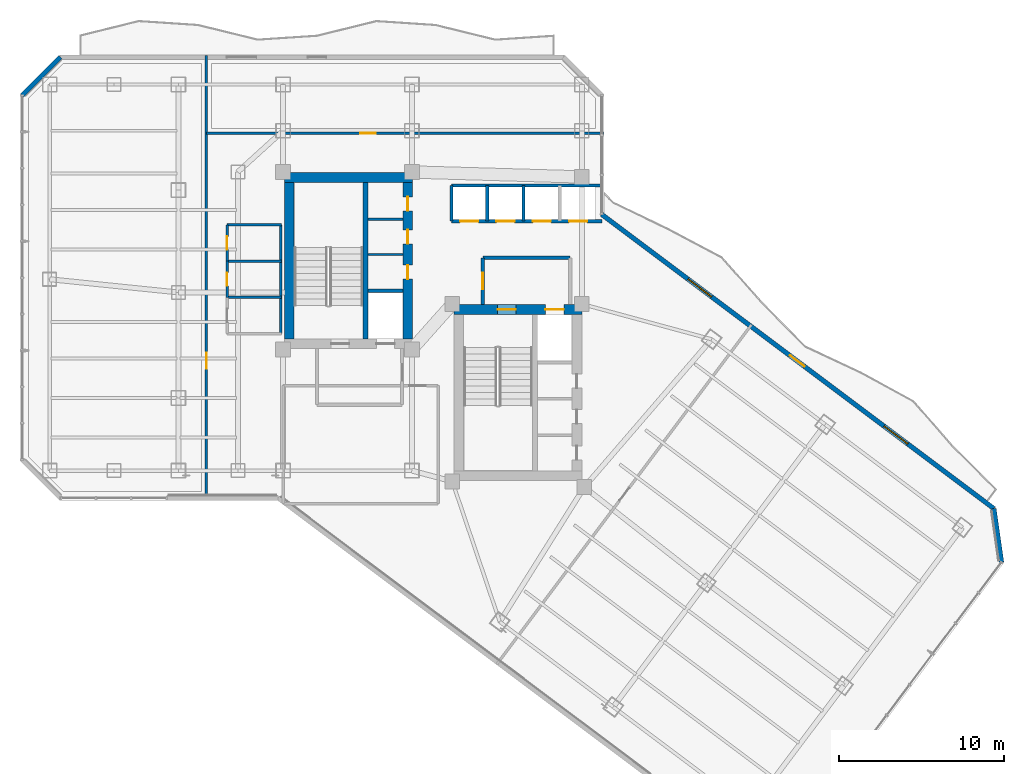
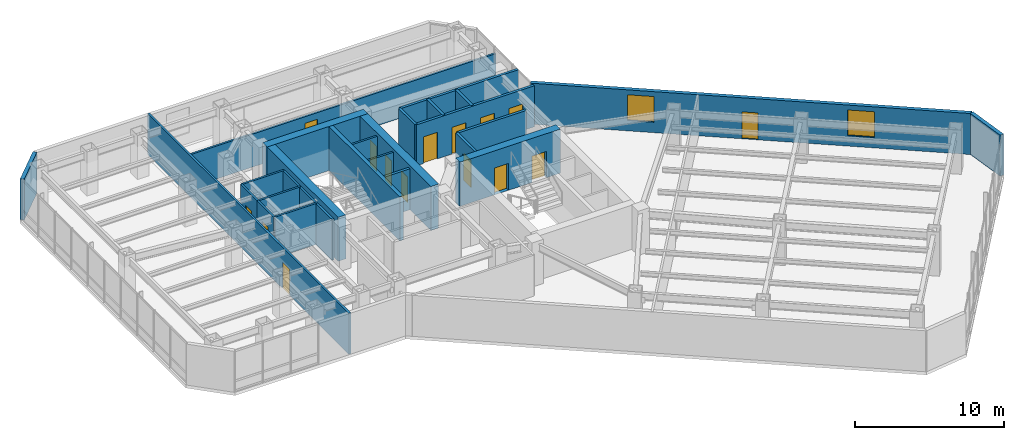
# One storey, part 23 of 29: 26 walls, 15 doors, 2 windows, 17 openings.
"""IFC4 building model written with IfcOpenShell, lengths in metres."""

from ifc_helpers import new_model, si_unit, direction, frame, frame_2d, origin, place, context, subcontext, project, spatial, rectangle, extrude, material, layer, layer_set, type_object, element, fill, save


model = new_model("IFC4")

# Units and contexts
model_context = context("Model", 3, precision=1e-05, world=origin(), true_north=direction((0.0, 1.0)))
body_context = subcontext(model_context, "Body", "Model", "MODEL_VIEW")
ifc_project = project(units=[si_unit("LENGTHUNIT", "METRE"), si_unit("AREAUNIT", "SQUARE_METRE"), si_unit("VOLUMEUNIT", "CUBIC_METRE"), si_unit("PLANEANGLEUNIT", "RADIAN"), si_unit("MASSUNIT", "GRAM", prefix="KILO")], contexts=[model_context])

# Site, building, storey
site_placement = place(None, origin())
site = spatial("IfcSite", under=ifc_project, at=site_placement, CompositionType="ELEMENT")
building_placement = place(site_placement, origin())
building = spatial("IfcBuilding", under=site, at=building_placement, Name="Hatsunagi Terrace Concourse", CompositionType="ELEMENT")
storey_placement = place(building_placement, frame((0.0, 0.0, 115.64990234375)))
storey = spatial("IfcBuildingStorey", under=building, at=storey_placement, Name="L30", CompositionType="ELEMENT", Elevation=115.64990234375)

# Walls
ifc_material_1 = material(Name="Concrete Fc48", Category="concrete")
ifc_layer_1 = layer(ifc_material_1, 0.60009765625)
ifc_layer_set_1 = layer_set([ifc_layer_1], Name="CoreShearWall_Fc48_600")
wall_type_1 = type_object("IfcWallType", Name="CoreShearWall_Fc48_600", PredefinedType="SHEAR", material=ifc_layer_set_1)
wall_1_placement = place(storey_placement, frame((25.6201171875, 42.969970703125, 0.0), z_axis=(0.0, 0.0, 1.0), x_axis=(1.0, 0.0, 0.0)))
element("IfcWall", 1, at=wall_1_placement, inside=storey, type_object=wall_type_1, Name="Core A Shear Wall N L30", PredefinedType="SHEAR", context=body_context, shape_type="SweptSolid", body=[
    extrude(rectangle(XDim=7.77978515625, YDim=0.60009765625, at=frame_2d((3.889892578125, 0.0))), origin(), (0.0, 0.0, 1.0), 3.60009765625),
])
wall_2_placement = place(storey_placement, frame((25.919921875, 33.18994140625, 0.0), z_axis=(0.0, 0.0, 1.0), x_axis=(0.0, 1.0, 0.0)))
element("IfcWall", 2, at=wall_2_placement, inside=storey, type_object=wall_type_1, Name="Core A Shear Wall W L30", PredefinedType="SHEAR", context=body_context, shape_type="SweptSolid", body=[
    extrude(rectangle(XDim=9.47998046875, YDim=0.60009765625, at=frame_2d((4.739990234375, 0.0))), origin(), (0.0, 0.0, 1.0), 3.60009765625),
])

# Wall, openings, doors
wall_3_placement = place(storey_placement, frame((33.10009765625, 33.18994140625, 0.0), z_axis=(0.0, 0.0, 1.0), x_axis=(0.0, 1.0, 0.0)))
wall_3 = element("IfcWall", 3, at=wall_3_placement, inside=storey, type_object=wall_type_1, Name="Core A Shear Wall E L30", PredefinedType="SHEAR", context=body_context, shape_type="SweptSolid", body=[
    extrude(rectangle(XDim=9.47998046875, YDim=0.60009765625, at=frame_2d((4.739990234375, 0.0))), origin(), (0.0, 0.0, 1.0), 3.60009765625),
])
opening_1_placement = place(wall_3_placement, frame((3.610107421875, 0.0, 0.0)))
opening_1 = element("IfcOpeningElement", 4, at=opening_1_placement, cuts=wall_3, Name="Opening DR-085", PredefinedType="OPENING", context=body_context, shape_type="SweptSolid", body=[
    extrude(rectangle(XDim=0.85009765625, YDim=2.080078125, at=frame_2d((0.425048828125, 1.0400390625))), frame((0.0, 0.31005859375, 0.0), z_axis=(0.0, -1.0, 0.0), x_axis=(1.0, 0.0, 0.0)), (0.0, 0.0, 1.0), 0.6201171875),
])
opening_2_placement = place(wall_3_placement, frame((5.760009765625, 0.0, 0.0)))
opening_2 = element("IfcOpeningElement", 5, at=opening_2_placement, cuts=wall_3, Name="Opening DR-085", PredefinedType="OPENING", context=body_context, shape_type="SweptSolid", body=[
    extrude(rectangle(XDim=0.85009765625, YDim=2.080078125, at=frame_2d((0.425048828125, 1.0400390625))), frame((0.0, 0.31005859375, 0.0), z_axis=(0.0, -1.0, 0.0), x_axis=(1.0, 0.0, 0.0)), (0.0, 0.0, 1.0), 0.6201171875),
])
opening_3_placement = place(wall_3_placement, frame((7.760009765625, 0.0, 0.0)))
opening_3 = element("IfcOpeningElement", 6, at=opening_3_placement, cuts=wall_3, Name="Opening DR-085", PredefinedType="OPENING", context=body_context, shape_type="SweptSolid", body=[
    extrude(rectangle(XDim=0.85009765625, YDim=2.080078125, at=frame_2d((0.425048828125, 1.0400390625))), frame((0.0, 0.31005859375, 0.0), z_axis=(0.0, -1.0, 0.0), x_axis=(1.0, 0.0, 0.0)), (0.0, 0.0, 1.0), 0.6201171875),
])
ifc_material_2 = material(Name="Painted steel", Category="steel")
door_type_1 = type_object("IfcDoorType", Name="RiserAccessDoor_EI60_850", OperationType="NOTDEFINED", PredefinedType="DOOR", material=ifc_material_2)
door_1_placement = place(opening_1_placement, origin())
door_1 = element("IfcDoor", 7, at=door_1_placement, inside=storey, type_object=door_type_1, Name="Core A Riser Door L30-1", OperationType="SINGLE_SWING_LEFT", OverallHeight=2.080078125, OverallWidth=0.85009765625, PredefinedType="DOOR", context=body_context, shape_type="SweptSolid", body=[
    extrude(rectangle(XDim=0.85009765625, YDim=2.080078125, at=frame_2d((0.425048828125, 1.0400390625))), frame((0.0, 0.02490234375, 0.0), z_axis=(0.0, -1.0, 0.0), x_axis=(1.0, 0.0, 0.0)), (0.0, 0.0, 1.0), 0.050048828125),
])
fill(opening_1, door_1)
door_2_placement = place(opening_2_placement, origin())
door_2 = element("IfcDoor", 8, at=door_2_placement, inside=storey, type_object=door_type_1, Name="Core A Riser Door L30-2", OperationType="SINGLE_SWING_LEFT", OverallHeight=2.080078125, OverallWidth=0.85009765625, PredefinedType="DOOR", context=body_context, shape_type="SweptSolid", body=[
    extrude(rectangle(XDim=0.85009765625, YDim=2.080078125, at=frame_2d((0.425048828125, 1.0400390625))), frame((0.0, 0.02490234375, 0.0), z_axis=(0.0, -1.0, 0.0), x_axis=(1.0, 0.0, 0.0)), (0.0, 0.0, 1.0), 0.050048828125),
])
fill(opening_2, door_2)
door_3_placement = place(opening_3_placement, origin())
door_3 = element("IfcDoor", 9, at=door_3_placement, inside=storey, type_object=door_type_1, Name="Core A Riser Door L30-3", OperationType="SINGLE_SWING_LEFT", OverallHeight=2.080078125, OverallWidth=0.85009765625, PredefinedType="DOOR", context=body_context, shape_type="SweptSolid", body=[
    extrude(rectangle(XDim=0.85009765625, YDim=2.080078125, at=frame_2d((0.425048828125, 1.0400390625))), frame((0.0, 0.02490234375, 0.0), z_axis=(0.0, -1.0, 0.0), x_axis=(1.0, 0.0, 0.0)), (0.0, 0.0, 1.0), 0.050048828125),
])
fill(opening_3, door_3)

wall_4_placement = place(storey_placement, frame((35.889892578125, 34.969970703125, 0.0), z_axis=(0.0, 0.0, 1.0), x_axis=(1.0, 0.0, 0.0)))
wall_4 = element("IfcWall", 10, at=wall_4_placement, inside=storey, type_object=wall_type_1, Name="Core B Shear Wall N L30", PredefinedType="SHEAR", context=body_context, shape_type="SweptSolid", body=[
    extrude(rectangle(XDim=7.760009765625, YDim=0.60009765625, at=frame_2d((3.8798828125, 0.0))), origin(), (0.0, 0.0, 1.0), 3.60009765625),
])
opening_4_placement = place(wall_4_placement, frame((2.659912109375, 0.0, 0.0)))
opening_4 = element("IfcOpeningElement", 11, at=opening_4_placement, cuts=wall_4, Name="Opening DR-110S", PredefinedType="OPENING", context=body_context, shape_type="SweptSolid", body=[
    extrude(rectangle(XDim=1.10009765625, YDim=2.199951171875, at=frame_2d((0.550048828125, 1.10009765625))), frame((0.0, 0.31005859375, 0.0), z_axis=(0.0, -1.0, 0.0), x_axis=(1.0, 0.0, 0.0)), (0.0, 0.0, 1.0), 0.6201171875),
])
opening_5_placement = place(wall_4_placement, frame((5.56005859375, 0.0, 0.0)))
opening_5 = element("IfcOpeningElement", 12, at=opening_5_placement, cuts=wall_4, Name="Opening LD-02", PredefinedType="OPENING", context=body_context, shape_type="SweptSolid", body=[
    extrude(rectangle(XDim=1.1201171875, YDim=2.14990234375, at=frame_2d((0.56005859375, 1.074951171875))), frame((0.0, 0.31005859375, 0.0), z_axis=(0.0, -1.0, 0.0), x_axis=(1.0, 0.0, 0.0)), (0.0, 0.0, 1.0), 0.6201171875),
])
ifc_material_3 = material(Name="Stainless steel", Category="steel")
door_type_2 = type_object("IfcDoorType", Name="LiftLandingDoor_LD02", OperationType="SLIDING_TO_RIGHT", PredefinedType="USERDEFINED", material=ifc_material_3)
door_4_placement = place(opening_5_placement, origin())
door_4 = element("IfcDoor", 13, at=door_4_placement, inside=storey, type_object=door_type_2, Name="Lift landing door FF-02 L30", ObjectType="SLIDING_LANDING_DOOR", OperationType="SLIDING_TO_RIGHT", OverallHeight=2.14990234375, OverallWidth=1.1201171875, PredefinedType="USERDEFINED", context=body_context, shape_type="SweptSolid", body=[
    extrude(rectangle(XDim=1.1201171875, YDim=2.14990234375, at=frame_2d((0.56005859375, 1.074951171875))), frame((0.0, 0.02490234375, 0.0), z_axis=(0.0, -1.0, 0.0), x_axis=(1.0, 0.0, 0.0)), (0.0, 0.0, 1.0), 0.050048828125),
])
fill(opening_5, door_4)
ifc_material_4 = material(Name="Painted steel", Category="steel")
door_type_3 = type_object("IfcDoorType", Name="StairFireDoor_EI60_1100", OperationType="NOTDEFINED", PredefinedType="DOOR", material=ifc_material_4)
door_5_placement = place(opening_4_placement, origin())
door_5 = element("IfcDoor", 14, at=door_5_placement, inside=storey, type_object=door_type_3, Name="Stair ST-B Exit Door L30", OperationType="SINGLE_SWING_RIGHT", OverallHeight=2.199951171875, OverallWidth=1.10009765625, PredefinedType="DOOR", context=body_context, shape_type="SweptSolid", body=[
    extrude(rectangle(XDim=1.10009765625, YDim=2.199951171875, at=frame_2d((0.550048828125, 1.10009765625))), frame((0.0, 0.02490234375, 0.0), z_axis=(0.0, -1.0, 0.0), x_axis=(1.0, 0.0, 0.0)), (0.0, 0.0, 1.0), 0.050048828125),
])
fill(opening_4, door_5)

# Walls
ifc_material_5 = material(Name="Concrete Fc48", Category="concrete")
ifc_layer_2 = layer(ifc_material_5, 0.300048828125)
ifc_layer_set_2 = layer_set([ifc_layer_2], Name="CoreStairDivider_Fc48_300")
wall_type_2 = type_object("IfcWallType", Name="CoreStairDivider_Fc48_300", PredefinedType="SHEAR", material=ifc_layer_set_2)
wall_5_placement = place(storey_placement, frame((30.5400390625, 33.18994140625, 0.0), z_axis=(0.0, 0.0, 1.0), x_axis=(0.0, 1.0, 0.0)))
element("IfcWall", 15, at=wall_5_placement, inside=storey, type_object=wall_type_2, Name="Core A Shear Wall D L30", PredefinedType="SHEAR", context=body_context, shape_type="SweptSolid", body=[
    extrude(rectangle(XDim=9.47998046875, YDim=0.300048828125, at=frame_2d((4.739990234375, 0.0))), origin(), (0.0, 0.0, 1.0), 3.60009765625),
])
ifc_material_6 = material(Name="Acoustic mineral board", Category="gypsum")
ifc_layer_3 = layer(ifc_material_6, 0.14990234375)
ifc_layer_set_3 = layer_set([ifc_layer_3], Name="PartitionWall_EI60_150")
wall_type_3 = type_object("IfcWallType", Name="PartitionWall_EI60_150", PredefinedType="PARTITIONING", material=ifc_layer_set_3)
for number, where, z_axis, x_axis, name in (
    (16, (30.699951171875, 38.300048828125, 0.0), (0.0, 0.0, 1.0), (1.0, 0.0, 0.0), "Interior Partition IW-L30-002"),
    (17, (30.699951171875, 40.449951171875, 0.0), (0.0, 0.0, 1.0), (1.0, 0.0, 0.0), "Interior Partition IW-L30-003"),
):
    element("IfcWall", number, at=place(storey_placement, frame(where, z_axis=z_axis, x_axis=x_axis)), inside=storey, type_object=wall_type_3, Name=name, PredefinedType="PARTITIONING", context=body_context, shape_type="SweptSolid", body=[
        extrude(rectangle(XDim=2.10009765625, YDim=0.14990234375, at=frame_2d((1.050048828125, 0.0))), origin(), (0.0, 0.0, 1.0), 3.35009765625),
    ])
wall_6_placement = place(storey_placement, frame((22.14990234375, 40.10009765625, 0.0), z_axis=(0.0, 0.0, 1.0), x_axis=(1.0, 0.0, 0.0)))
element("IfcWall", 18, at=wall_6_placement, inside=storey, type_object=wall_type_3, Name="Interior Partition IW-L30-020", PredefinedType="PARTITIONING", context=body_context, shape_type="SweptSolid", body=[
    extrude(rectangle(XDim=3.300048828125, YDim=0.14990234375, at=frame_2d((1.64990234375, 0.0))), origin(), (0.0, 0.0, 1.0), 3.35009765625),
])
wall_7_placement = place(storey_placement, frame((25.39990234375, 33.5, 0.0), z_axis=(0.0, 0.0, 1.0), x_axis=(0.0, 1.0, 0.0)))
element("IfcWall", 19, at=wall_7_placement, inside=storey, type_object=wall_type_3, Name="Interior Partition IW-L30-021", PredefinedType="PARTITIONING", context=body_context, shape_type="SweptSolid", body=[
    extrude(rectangle(XDim=6.60009765625, YDim=0.14990234375, at=frame_2d((3.300048828125, 0.0))), origin(), (0.0, 0.0, 1.0), 3.35009765625),
])
for number, where, z_axis, x_axis, name in (
    (20, (22.14990234375, 35.699951171875, 0.0), (0.0, 0.0, 1.0), (1.0, 0.0, 0.0), "Interior Partition IW-L30-022"),
    (21, (22.14990234375, 37.89990234375, 0.0), (0.0, 0.0, 1.0), (1.0, 0.0, 0.0), "Interior Partition IW-L30-023"),
):
    element("IfcWall", number, at=place(storey_placement, frame(where, z_axis=z_axis, x_axis=x_axis)), inside=storey, type_object=wall_type_3, Name=name, PredefinedType="PARTITIONING", context=body_context, shape_type="SweptSolid", body=[
        extrude(rectangle(XDim=3.300048828125, YDim=0.14990234375, at=frame_2d((1.64990234375, 0.0))), origin(), (0.0, 0.0, 1.0), 3.35009765625),
    ])

# Wall, opening, door
wall_8_placement = place(storey_placement, frame((22.14990234375, 35.699951171875, 0.0), z_axis=(0.0, 0.0, 1.0), x_axis=(0.0, 1.0, 0.0)))
wall_8 = element("IfcWall", 22, at=wall_8_placement, inside=storey, type_object=wall_type_3, Name="Interior Partition IW-L30-025", PredefinedType="PARTITIONING", context=body_context, shape_type="SweptSolid", body=[
    extrude(rectangle(XDim=2.199951171875, YDim=0.14990234375, at=frame_2d((1.10009765625, 0.0))), origin(), (0.0, 0.0, 1.0), 3.35009765625),
])
opening_6_placement = place(wall_8_placement, frame((0.699951171875, 0.0, 0.0)))
opening_6 = element("IfcOpeningElement", 23, at=opening_6_placement, cuts=wall_8, Name="Opening DR-080", PredefinedType="OPENING", context=body_context, shape_type="SweptSolid", body=[
    extrude(rectangle(XDim=0.800048828125, YDim=2.06005859375, at=frame_2d((0.39990234375, 1.030029296875))), frame((0.0, 0.0849609375, 0.0), z_axis=(0.0, -1.0, 0.0), x_axis=(1.0, 0.0, 0.0)), (0.0, 0.0, 1.0), 0.169921875),
])
ifc_material_7 = material(Name="Hardwood timber", Category="wood")
door_type_4 = type_object("IfcDoorType", Name="BathroomDoor_800", OperationType="NOTDEFINED", PredefinedType="DOOR", material=ifc_material_7)
door_6_placement = place(opening_6_placement, origin())
door_6 = element("IfcDoor", 24, at=door_6_placement, inside=storey, type_object=door_type_4, Name="Female Restroom Door L30", OperationType="SINGLE_SWING_RIGHT", OverallHeight=2.06005859375, OverallWidth=0.800048828125, PredefinedType="DOOR", context=body_context, shape_type="SweptSolid", body=[
    extrude(rectangle(XDim=0.800048828125, YDim=2.06005859375, at=frame_2d((0.39990234375, 1.030029296875))), frame((0.0, 0.02490234375, 0.0), z_axis=(0.0, -1.0, 0.0), x_axis=(1.0, 0.0, 0.0)), (0.0, 0.0, 1.0), 0.050048828125),
])
fill(opening_6, door_6)

wall_9_placement = place(storey_placement, frame((22.14990234375, 37.89990234375, 0.0), z_axis=(0.0, 0.0, 1.0), x_axis=(0.0, 1.0, 0.0)))
wall_9 = element("IfcWall", 25, at=wall_9_placement, inside=storey, type_object=wall_type_3, Name="Interior Partition IW-L30-026", PredefinedType="PARTITIONING", context=body_context, shape_type="SweptSolid", body=[
    extrude(rectangle(XDim=2.2001953125, YDim=0.14990234375, at=frame_2d((1.10009765625, 0.0))), origin(), (0.0, 0.0, 1.0), 3.35009765625),
])
opening_7_placement = place(wall_9_placement, frame((0.699951171875, 0.0, 0.0)))
opening_7 = element("IfcOpeningElement", 26, at=opening_7_placement, cuts=wall_9, Name="Opening DR-080", PredefinedType="OPENING", context=body_context, shape_type="SweptSolid", body=[
    extrude(rectangle(XDim=0.800048828125, YDim=2.06005859375, at=frame_2d((0.39990234375, 1.030029296875))), frame((0.0, 0.0849609375, 0.0), z_axis=(0.0, -1.0, 0.0), x_axis=(1.0, 0.0, 0.0)), (0.0, 0.0, 1.0), 0.169921875),
])
door_7_placement = place(opening_7_placement, origin())
door_7 = element("IfcDoor", 27, at=door_7_placement, inside=storey, type_object=door_type_4, Name="Male Restroom Door L30", OperationType="SINGLE_SWING_RIGHT", OverallHeight=2.06005859375, OverallWidth=0.800048828125, PredefinedType="DOOR", context=body_context, shape_type="SweptSolid", body=[
    extrude(rectangle(XDim=0.800048828125, YDim=2.06005859375, at=frame_2d((0.39990234375, 1.030029296875))), frame((0.0, 0.02490234375, 0.0), z_axis=(0.0, -1.0, 0.0), x_axis=(1.0, 0.0, 0.0)), (0.0, 0.0, 1.0), 0.050048828125),
])
fill(opening_7, door_7)

wall_10_placement = place(storey_placement, frame((20.89990234375, 23.43994140625, 0.0), z_axis=(0.0, 0.0, 1.0), x_axis=(0.0, 1.0, 0.0)))
wall_10 = element("IfcWall", 28, at=wall_10_placement, inside=storey, type_object=wall_type_3, Name="Interior Partition IW-L30-031", PredefinedType="PARTITIONING", context=body_context, shape_type="SweptSolid", body=[
    extrude(rectangle(XDim=26.920166015625, YDim=0.14990234375, at=frame_2d((13.4599609375, 0.0))), origin(), (0.0, 0.0, 1.0), 3.35009765625),
])
opening_8_placement = place(wall_10_placement, frame((7.943115234375, 0.0, 0.0)))
opening_8 = element("IfcOpeningElement", 29, at=opening_8_placement, cuts=wall_10, Name="Opening DR-095", PredefinedType="OPENING", context=body_context, shape_type="SweptSolid", body=[
    extrude(rectangle(XDim=0.949951171875, YDim=2.14990234375, at=frame_2d((0.47509765625, 1.074951171875))), frame((0.0, 0.0849609375, 0.0), z_axis=(0.0, -1.0, 0.0), x_axis=(1.0, 0.0, 0.0)), (0.0, 0.0, 1.0), 0.169921875),
])
ifc_material_8 = material(Name="Hardwood timber", Category="wood")
door_type_5 = type_object("IfcDoorType", Name="InteriorSuiteDoor_EI30_950", OperationType="NOTDEFINED", PredefinedType="DOOR", material=ifc_material_8)
door_8_placement = place(opening_8_placement, origin())
door_8 = element("IfcDoor", 30, at=door_8_placement, inside=storey, type_object=door_type_5, Name="Open Plan Office L30-OW1 Door", OperationType="SINGLE_SWING_RIGHT", OverallHeight=2.14990234375, OverallWidth=0.949951171875, PredefinedType="DOOR", context=body_context, shape_type="SweptSolid", body=[
    extrude(rectangle(XDim=0.949951171875, YDim=2.14990234375, at=frame_2d((0.47509765625, 1.074951171875))), frame((0.0, 0.02490234375, 0.0), z_axis=(0.0, -1.0, 0.0), x_axis=(1.0, 0.0, 0.0)), (0.0, 0.0, 1.0), 0.050048828125),
])
fill(opening_8, door_8)

wall_11_placement = place(storey_placement, frame((20.89990234375, 45.64990234375, 0.0), z_axis=(0.0, 0.0, 1.0), x_axis=(1.0, 0.0, 0.0)))
wall_11 = element("IfcWall", 31, at=wall_11_placement, inside=storey, type_object=wall_type_3, Name="Interior Partition IW-L30-032", PredefinedType="PARTITIONING", context=body_context, shape_type="SweptSolid", body=[
    extrude(rectangle(XDim=24.06005859375, YDim=0.14990234375, at=frame_2d((12.030029296875, 0.0))), origin(), (0.0, 0.0, 1.0), 2.695068359375),
])
opening_9_placement = place(wall_11_placement, frame((9.320068359375, 0.0, 0.0)))
opening_9 = element("IfcOpeningElement", 32, at=opening_9_placement, cuts=wall_11, Name="Opening DR-095", PredefinedType="OPENING", context=body_context, shape_type="SweptSolid", body=[
    extrude(rectangle(XDim=0.949951171875, YDim=2.14990234375, at=frame_2d((0.47509765625, 1.074951171875))), frame((0.0, 0.0849609375, 0.0), z_axis=(0.0, -1.0, 0.0), x_axis=(1.0, 0.0, 0.0)), (0.0, 0.0, 1.0), 0.169921875),
])
door_9_placement = place(opening_9_placement, origin())
door_9 = element("IfcDoor", 33, at=door_9_placement, inside=storey, type_object=door_type_5, Name="Boardroom L30-ON1 Door", OperationType="SINGLE_SWING_RIGHT", OverallHeight=2.14990234375, OverallWidth=0.949951171875, PredefinedType="DOOR", context=body_context, shape_type="SweptSolid", body=[
    extrude(rectangle(XDim=0.949951171875, YDim=2.14990234375, at=frame_2d((0.47509765625, 1.074951171875))), frame((0.0, 0.02490234375, 0.0), z_axis=(0.0, -1.0, 0.0), x_axis=(1.0, 0.0, 0.0)), (0.0, 0.0, 1.0), 0.050048828125),
])
fill(opening_9, door_9)

# Walls
ifc_material_9 = material(Name="Acoustic mineral board", Category="gypsum")
ifc_layer_4 = layer(ifc_material_9, 0.199951171875)
ifc_layer_set_4 = layer_set([ifc_layer_4], Name="ShaftWall_EI120_200")
wall_type_4 = type_object("IfcWallType", Name="ShaftWall_EI120_200", PredefinedType="STANDARD", material=ifc_layer_set_4)
wall_12_placement = place(storey_placement, frame((30.699951171875, 36.10009765625, 0.0), z_axis=(0.0, 0.0, 1.0), x_axis=(1.0, 0.0, 0.0)))
element("IfcWall", 34, at=wall_12_placement, inside=storey, type_object=wall_type_4, Name="Interior Partition IW-L30-001", PredefinedType="STANDARD", context=body_context, shape_type="SweptSolid", body=[
    extrude(rectangle(XDim=2.10009765625, YDim=0.199951171875, at=frame_2d((1.050048828125, 0.0))), origin(), (0.0, 0.0, 1.0), 3.35009765625),
])
wall_13_placement = place(storey_placement, frame((37.64990234375, 38.10009765625, 0.0), z_axis=(0.0, 0.0, 1.0), x_axis=(1.0, 0.0, 0.0)))
element("IfcWall", 35, at=wall_13_placement, inside=storey, type_object=wall_type_4, Name="Interior Partition IW-L30-010", PredefinedType="STANDARD", context=body_context, shape_type="SweptSolid", body=[
    extrude(rectangle(XDim=5.300048828125, YDim=0.199951171875, at=frame_2d((2.64990234375, 0.0))), origin(), (0.0, 0.0, 1.0), 3.35009765625),
])

# Wall, opening, door
wall_14_placement = place(storey_placement, frame((37.64990234375, 35.27001953125, 0.0), z_axis=(0.0, 0.0, 1.0), x_axis=(0.0, 1.0, 0.0)))
wall_14 = element("IfcWall", 36, at=wall_14_placement, inside=storey, type_object=wall_type_4, Name="Interior Partition IW-L30-012", PredefinedType="STANDARD", context=body_context, shape_type="SweptSolid", body=[
    extrude(rectangle(XDim=2.830078125, YDim=0.199951171875, at=frame_2d((1.4150390625, 0.0))), origin(), (0.0, 0.0, 1.0), 3.35009765625),
])
opening_10_placement = place(wall_14_placement, frame((0.9150390625, 0.0, 0.0)))
opening_10 = element("IfcOpeningElement", 37, at=opening_10_placement, cuts=wall_14, Name="Opening DR-100F", PredefinedType="OPENING", context=body_context, shape_type="SweptSolid", body=[
    extrude(rectangle(XDim=1.0, YDim=2.199951171875, at=frame_2d((0.5, 1.10009765625))), frame((0.0, 0.10986328125, 0.0), z_axis=(0.0, -1.0, 0.0), x_axis=(1.0, 0.0, 0.0)), (0.0, 0.0, 1.0), 0.219970703125),
])
ifc_material_10 = material(Name="Painted steel", Category="steel")
door_type_6 = type_object("IfcDoorType", Name="FireDoor_EI60_1000", OperationType="NOTDEFINED", PredefinedType="DOOR", material=ifc_material_10)
door_10_placement = place(opening_10_placement, origin())
door_10 = element("IfcDoor", 38, at=door_10_placement, inside=storey, type_object=door_type_6, Name="Firefighting Lobby B Door L30", OperationType="SINGLE_SWING_RIGHT", OverallHeight=2.199951171875, OverallWidth=1.0, PredefinedType="DOOR", context=body_context, shape_type="SweptSolid", body=[
    extrude(rectangle(XDim=1.0, YDim=2.199951171875, at=frame_2d((0.5, 1.10009765625))), frame((0.0, 0.02490234375, 0.0), z_axis=(0.0, -1.0, 0.0), x_axis=(1.0, 0.0, 0.0)), (0.0, 0.0, 1.0), 0.050048828125),
])
fill(opening_10, door_10)

# Walls
wall_15_placement = place(storey_placement, frame((35.75, 42.47998046875, 0.0), z_axis=(0.0, 0.0, 1.0), x_axis=(1.0, 0.0, 0.0)))
element("IfcWall", 39, at=wall_15_placement, inside=storey, type_object=wall_type_4, Name="Interior Partition IW-L30-013", PredefinedType="STANDARD", context=body_context, shape_type="SweptSolid", body=[
    extrude(rectangle(XDim=9.110107421875, YDim=0.199951171875, at=frame_2d((4.55517578125, 0.0))), origin(), (0.0, 0.0, 1.0), 3.35009765625),
])
for number, where, z_axis, x_axis, name in (
    (40, (35.75, 40.320068359375, 0.0), (0.0, 0.0, 1.0), (0.0, 1.0, 0.0), "Interior Partition IW-L30-014"),
    (41, (37.919921875, 40.320068359375, 0.0), (0.0, 0.0, 1.0), (0.0, 1.0, 0.0), "Interior Partition IW-L30-015"),
    (42, (40.1201171875, 40.320068359375, 0.0), (0.0, 0.0, 1.0), (0.0, 1.0, 0.0), "Interior Partition IW-L30-016"),
):
    element("IfcWall", number, at=place(storey_placement, frame(where, z_axis=z_axis, x_axis=x_axis)), inside=storey, type_object=wall_type_4, Name=name, PredefinedType="STANDARD", context=body_context, shape_type="SweptSolid", body=[
        extrude(rectangle(XDim=2.159912109375, YDim=0.199951171875, at=frame_2d((1.080078125, 0.0))), origin(), (0.0, 0.0, 1.0), 3.35009765625),
    ])

# Wall, openings, doors
wall_16_placement = place(storey_placement, frame((35.75, 40.320068359375, 0.0), z_axis=(0.0, 0.0, 1.0), x_axis=(1.0, 0.0, 0.0)))
wall_16 = element("IfcWall", 43, at=wall_16_placement, inside=storey, type_object=wall_type_4, Name="Interior Partition IW-L30-018", PredefinedType="STANDARD", context=body_context, shape_type="SweptSolid", body=[
    extrude(rectangle(XDim=9.110107421875, YDim=0.199951171875, at=frame_2d((4.55517578125, 0.0))), origin(), (0.0, 0.0, 1.0), 3.35009765625),
])
opening_11_placement = place(wall_16_placement, frame((0.530029296875, 0.0, 0.0)))
opening_11 = element("IfcOpeningElement", 44, at=opening_11_placement, cuts=wall_16, Name="Opening LD-04", PredefinedType="OPENING", context=body_context, shape_type="SweptSolid", body=[
    extrude(rectangle(XDim=1.10009765625, YDim=2.179931640625, at=frame_2d((0.550048828125, 1.08984375))), frame((0.0, 0.10986328125, 0.0), z_axis=(0.0, -1.0, 0.0), x_axis=(1.0, 0.0, 0.0)), (0.0, 0.0, 1.0), 0.219970703125),
])
opening_12_placement = place(wall_16_placement, frame((2.72998046875, 0.0, 0.0)))
opening_12 = element("IfcOpeningElement", 45, at=opening_12_placement, cuts=wall_16, Name="Opening LD-04", PredefinedType="OPENING", context=body_context, shape_type="SweptSolid", body=[
    extrude(rectangle(XDim=1.10009765625, YDim=2.179931640625, at=frame_2d((0.550048828125, 1.08984375))), frame((0.0, 0.10986328125, 0.0), z_axis=(0.0, -1.0, 0.0), x_axis=(1.0, 0.0, 0.0)), (0.0, 0.0, 1.0), 0.219970703125),
])
opening_13_placement = place(wall_16_placement, frame((4.929931640625, 0.0, 0.0)))
opening_13 = element("IfcOpeningElement", 46, at=opening_13_placement, cuts=wall_16, Name="Opening LD-04", PredefinedType="OPENING", context=body_context, shape_type="SweptSolid", body=[
    extrude(rectangle(XDim=1.10009765625, YDim=2.179931640625, at=frame_2d((0.550048828125, 1.08984375))), frame((0.0, 0.10986328125, 0.0), z_axis=(0.0, -1.0, 0.0), x_axis=(1.0, 0.0, 0.0)), (0.0, 0.0, 1.0), 0.219970703125),
])
opening_14_placement = place(wall_16_placement, frame((7.1298828125, 0.0, 0.0)))
opening_14 = element("IfcOpeningElement", 47, at=opening_14_placement, cuts=wall_16, Name="Opening LD-04", PredefinedType="OPENING", context=body_context, shape_type="SweptSolid", body=[
    extrude(rectangle(XDim=1.10009765625, YDim=2.179931640625, at=frame_2d((0.550048828125, 1.08984375))), frame((0.0, 0.10986328125, 0.0), z_axis=(0.0, -1.0, 0.0), x_axis=(1.0, 0.0, 0.0)), (0.0, 0.0, 1.0), 0.219970703125),
])
ifc_material_11 = material(Name="Stainless steel", Category="steel")
door_type_7 = type_object("IfcDoorType", Name="LiftLandingDoor_LD04", OperationType="SLIDING_TO_RIGHT", PredefinedType="USERDEFINED", material=ifc_material_11)
door_11_placement = place(opening_11_placement, origin())
door_11 = element("IfcDoor", 48, at=door_11_placement, inside=storey, type_object=door_type_7, Name="Lift landing door PL-05 L30", ObjectType="SLIDING_LANDING_DOOR", OperationType="SLIDING_TO_RIGHT", OverallHeight=2.179931640625, OverallWidth=1.10009765625, PredefinedType="USERDEFINED", context=body_context, shape_type="SweptSolid", body=[
    extrude(rectangle(XDim=1.10009765625, YDim=2.179931640625, at=frame_2d((0.550048828125, 1.08984375))), frame((0.0, 0.02490234375, 0.0), z_axis=(0.0, -1.0, 0.0), x_axis=(1.0, 0.0, 0.0)), (0.0, 0.0, 1.0), 0.050048828125),
])
fill(opening_11, door_11)
door_12_placement = place(opening_12_placement, origin())
door_12 = element("IfcDoor", 49, at=door_12_placement, inside=storey, type_object=door_type_7, Name="Lift landing door PL-06 L30", ObjectType="SLIDING_LANDING_DOOR", OperationType="SLIDING_TO_RIGHT", OverallHeight=2.179931640625, OverallWidth=1.10009765625, PredefinedType="USERDEFINED", context=body_context, shape_type="SweptSolid", body=[
    extrude(rectangle(XDim=1.10009765625, YDim=2.179931640625, at=frame_2d((0.550048828125, 1.08984375))), frame((0.0, 0.02490234375, 0.0), z_axis=(0.0, -1.0, 0.0), x_axis=(1.0, 0.0, 0.0)), (0.0, 0.0, 1.0), 0.050048828125),
])
fill(opening_12, door_12)
door_13_placement = place(opening_13_placement, origin())
door_13 = element("IfcDoor", 50, at=door_13_placement, inside=storey, type_object=door_type_7, Name="Lift landing door PL-07 L30", ObjectType="SLIDING_LANDING_DOOR", OperationType="SLIDING_TO_RIGHT", OverallHeight=2.179931640625, OverallWidth=1.10009765625, PredefinedType="USERDEFINED", context=body_context, shape_type="SweptSolid", body=[
    extrude(rectangle(XDim=1.10009765625, YDim=2.179931640625, at=frame_2d((0.550048828125, 1.08984375))), frame((0.0, 0.02490234375, 0.0), z_axis=(0.0, -1.0, 0.0), x_axis=(1.0, 0.0, 0.0)), (0.0, 0.0, 1.0), 0.050048828125),
])
fill(opening_13, door_13)
door_14_placement = place(opening_14_placement, origin())
door_14 = element("IfcDoor", 51, at=door_14_placement, inside=storey, type_object=door_type_7, Name="Lift landing door PL-08 L30", ObjectType="SLIDING_LANDING_DOOR", OperationType="SLIDING_TO_RIGHT", OverallHeight=2.179931640625, OverallWidth=1.10009765625, PredefinedType="USERDEFINED", context=body_context, shape_type="SweptSolid", body=[
    extrude(rectangle(XDim=1.10009765625, YDim=2.179931640625, at=frame_2d((0.550048828125, 1.08984375))), frame((0.0, 0.02490234375, 0.0), z_axis=(0.0, -1.0, 0.0), x_axis=(1.0, 0.0, 0.0)), (0.0, 0.0, 1.0), 0.050048828125),
])
fill(opening_14, door_14)

# Wall, openings, door, windows
ifc_material_12 = material(Name="Autoclaved Lightweight Concrete and Terracotta Cladding", Category="masonry")
ifc_layer_5 = layer(ifc_material_12, 0.280029296875)
ifc_layer_set_5 = layer_set([ifc_layer_5], Name="TerracottaSpandrelWall_280")
wall_type_5 = type_object("IfcWallType", Name="TerracottaSpandrelWall_280", PredefinedType="STANDARD", material=ifc_layer_set_5)
wall_17_placement = place(storey_placement, frame((44.860107421875, 40.72998046875, 0.0), z_axis=(0.0, 0.0, 1.0), x_axis=(0.800006902154, -0.599990797017, 0.0)))
wall_17 = element("IfcWall", 52, at=wall_17_placement, inside=storey, type_object=wall_type_5, Name="Exterior Spandrel Wall EW-L30-01", PredefinedType="STANDARD", context=body_context, shape_type="SweptSolid", body=[
    extrude(rectangle(XDim=29.7119140625, YDim=0.280029296875, at=frame_2d((14.85595703125, 0.0))), origin(), (0.0, 0.0, 1.0), 3.35009765625),
])
opening_15_placement = place(wall_17_placement, frame((14.2490234375, 0.0, 0.0)))
opening_15 = element("IfcOpeningElement", 53, at=opening_15_placement, cuts=wall_17, Name="Opening BD-01", PredefinedType="OPENING", context=body_context, shape_type="SweptSolid", body=[
    extrude(rectangle(XDim=1.10009765625, YDim=2.199951171875, at=frame_2d((0.550048828125, 1.10009765625))), frame((0.0, 0.14990234375, 0.0), z_axis=(0.0, -1.0, 0.0), x_axis=(1.0, 0.0, 0.0)), (0.0, 0.0, 1.0), 0.300048828125),
])
opening_16_placement = place(wall_17_placement, frame((6.528076171875, 0.0, 0.85009765625)))
opening_16 = element("IfcOpeningElement", 54, at=opening_16_placement, cuts=wall_17, Name="Opening WIN-03", PredefinedType="OPENING", context=body_context, shape_type="SweptSolid", body=[
    extrude(rectangle(XDim=1.800048828125, YDim=2.10009765625, at=frame_2d((0.89990234375, 1.050048828125))), frame((0.0, 0.14990234375, 0.0), z_axis=(0.0, -1.0, 0.0), x_axis=(1.0, 0.0, 0.0)), (0.0, 0.0, 1.0), 0.300048828125),
])
opening_17_placement = place(wall_17_placement, frame((21.384033203125, 0.0, 0.85009765625)))
opening_17 = element("IfcOpeningElement", 55, at=opening_17_placement, cuts=wall_17, Name="Opening WIN-03", PredefinedType="OPENING", context=body_context, shape_type="SweptSolid", body=[
    extrude(rectangle(XDim=1.800048828125, YDim=2.10009765625, at=frame_2d((0.89990234375, 1.050048828125))), frame((0.0, 0.14990234375, 0.0), z_axis=(0.0, -1.0, 0.0), x_axis=(1.0, 0.0, 0.0)), (0.0, 0.0, 1.0), 0.300048828125),
])
ifc_material_13 = material(Name="Galvanised Steel and Laminated Safety Glass", Category="steel")
door_type_8 = type_object("IfcDoorType", Name="BalconyTerraceAccessDoor_1100x2200", OperationType="SINGLE_SWING_LEFT", PredefinedType="DOOR", material=ifc_material_13)
door_15_placement = place(opening_15_placement, origin())
door_15 = element("IfcDoor", 56, at=door_15_placement, inside=storey, type_object=door_type_8, Name="Engawa Balcony Door L30-BSE", OperationType="SINGLE_SWING_LEFT", OverallHeight=2.199951171875, OverallWidth=1.10009765625, PredefinedType="DOOR", context=body_context, shape_type="SweptSolid", body=[
    extrude(rectangle(XDim=1.10009765625, YDim=2.199951171875, at=frame_2d((0.550048828125, 1.10009765625))), frame((0.0, 0.02490234375, 0.0), z_axis=(0.0, -1.0, 0.0), x_axis=(1.0, 0.0, 0.0)), (0.0, 0.0, 1.0), 0.050048828125),
])
fill(opening_15, door_15)
ifc_material_14 = material(Name="Thermally Broken Aluminium and Low-E Triple Glazing", Category="aluminium")
window_type = type_object("IfcWindowType", Name="OfficeCornerFeatureWindow_1800x2100", PartitioningType="SINGLE_PANEL", PredefinedType="WINDOW", material=ifc_material_14)
window_1_placement = place(opening_16_placement, origin())
window_1 = element("IfcWindow", 57, at=window_1_placement, inside=storey, type_object=window_type, Name="Balcony Daylighting Window L30-01-1", OverallHeight=2.10009765625, OverallWidth=1.800048828125, PartitioningType="SINGLE_PANEL", PredefinedType="WINDOW", context=body_context, shape_type="SweptSolid", body=[
    extrude(rectangle(XDim=1.800048828125, YDim=2.10009765625, at=frame_2d((0.89990234375, 1.050048828125))), frame((0.0, 0.030029296875, 0.0), z_axis=(0.0, -1.0, 0.0), x_axis=(1.0, 0.0, 0.0)), (0.0, 0.0, 1.0), 0.06005859375),
])
fill(opening_16, window_1)
window_2_placement = place(opening_17_placement, origin())
window_2 = element("IfcWindow", 58, at=window_2_placement, inside=storey, type_object=window_type, Name="Balcony Daylighting Window L30-01-2", OverallHeight=2.10009765625, OverallWidth=1.800048828125, PartitioningType="SINGLE_PANEL", PredefinedType="WINDOW", context=body_context, shape_type="SweptSolid", body=[
    extrude(rectangle(XDim=1.800048828125, YDim=2.10009765625, at=frame_2d((0.89990234375, 1.050048828125))), frame((0.0, 0.030029296875, 0.0), z_axis=(0.0, -1.0, 0.0), x_axis=(1.0, 0.0, 0.0)), (0.0, 0.0, 1.0), 0.06005859375),
])
fill(opening_17, window_2)

# Walls
wall_18_placement = place(storey_placement, frame((68.6298828125, 22.903076171875, 0.0), z_axis=(0.0, 0.0, 1.0), x_axis=(0.141285803956, -0.989968848803, 0.0)))
element("IfcWall", 59, at=wall_18_placement, inside=storey, type_object=wall_type_5, Name="Exterior Spandrel Wall EW-L30-02", PredefinedType="STANDARD", context=body_context, shape_type="SweptSolid", body=[
    extrude(rectangle(XDim=3.278076171875, YDim=0.280029296875, at=frame_2d((1.63916015625, 0.0))), origin(), (0.0, 0.0, 1.0), 3.35009765625),
])
wall_19_placement = place(storey_placement, frame((9.739990234375, 47.94189453125, 0.0), z_axis=(0.0, 0.0, 1.0), x_axis=(0.707106781187, 0.707106781187, 0.0)))
element("IfcWall", 60, at=wall_19_placement, inside=storey, type_object=wall_type_5, Name="Exterior Spandrel Wall EW-L30-10", PredefinedType="STANDARD", context=body_context, shape_type="SweptSolid", body=[
    extrude(rectangle(XDim=3.2783203125, YDim=0.280029296875, at=frame_2d((1.63916015625, 0.0))), origin(), (0.0, 0.0, 1.0), 3.35009765625),
])

save(model, "model.ifc")
